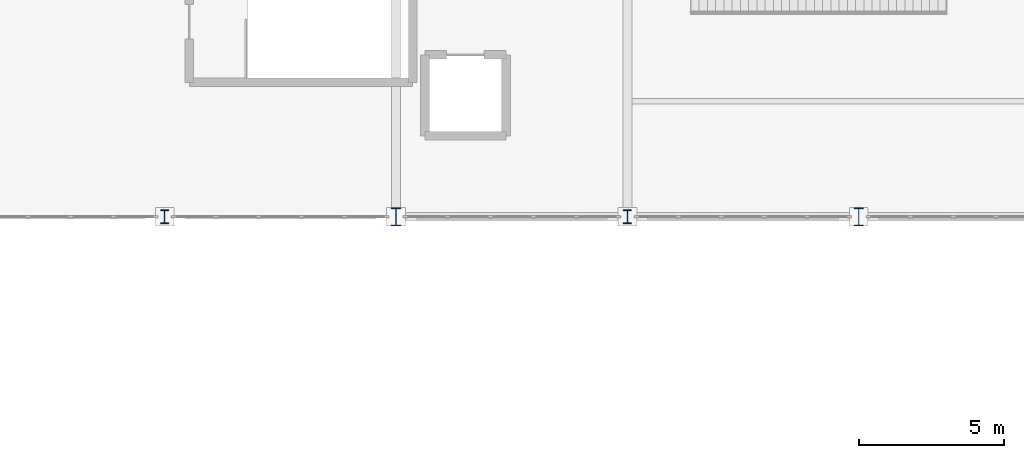
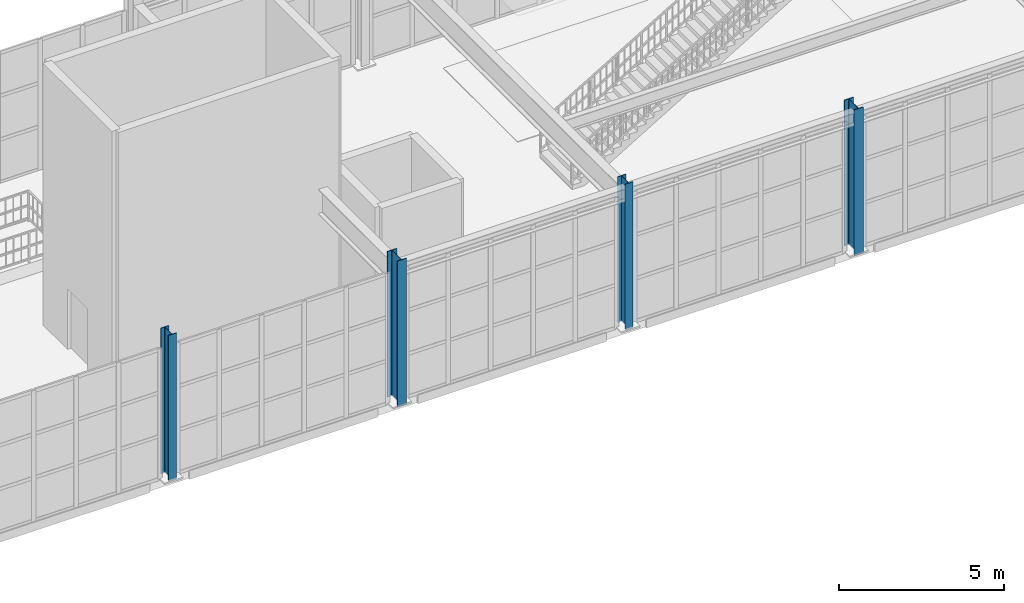
# One storey, part 4 of 82: 4 columns.
"""IFC4 building model written with IfcOpenShell, lengths in metres."""

from ifc_helpers import new_model, si_unit, direction, frame, origin, origin_2d, place, context, subcontext, project, spatial, i_section, extrude, material, material_profile, profile_set, type_object, element, save


model = new_model("IFC4")

# Units and contexts
model_context = context("Model", 3, precision=1e-05, world=origin(), true_north=direction((0.0, 1.0)))
body_context = subcontext(model_context, "Body", "Model", "MODEL_VIEW")
ifc_project = project(units=[si_unit("LENGTHUNIT", "METRE"), si_unit("AREAUNIT", "SQUARE_METRE"), si_unit("VOLUMEUNIT", "CUBIC_METRE"), si_unit("PLANEANGLEUNIT", "RADIAN"), si_unit("MASSUNIT", "GRAM", prefix="KILO")], contexts=[model_context])

# Site, building, storey
site_placement = place(None, origin())
site = spatial("IfcSite", under=ifc_project, at=site_placement, CompositionType="ELEMENT")
building_placement = place(site_placement, origin())
building = spatial("IfcBuilding", under=site, at=building_placement, Name="Serraluz Foothill Cableway Terminal", CompositionType="ELEMENT")
storey_placement = place(building_placement, frame((0.0, 0.0, 9.60009765625)))
storey = spatial("IfcBuildingStorey", under=building, at=storey_placement, Name="L02", CompositionType="ELEMENT", Elevation=9.60009765625)

# Columns
ifc_material = material(Name="Steel ASTM A992 Grade 50", Category="steel")
ifc_material_profile_1 = material_profile(ifc_material, i_section(OverallWidth=0.282958984375, OverallDepth=0.471923828125, WebThickness=0.013671875, FlangeThickness=0.022216796875, FilletRadius=0.014892578125, at=origin_2d()), Name="W18X97")
ifc_profile_set_1 = profile_set([ifc_material_profile_1], Name="Steel ASTM A992 Grade 50")
column_type_1 = type_object("IfcColumnType", Name="TYP-COL-W18X97", PredefinedType="COLUMN", material=ifc_profile_set_1)
for number, where, z_axis, x_axis, name in (
    (1, (64.0, 56.0, 0.0), (0.0, 0.0, 1.0), (1.0, 0.0, 0.0), "Column COL-V1-S-64-L02"),
    (2, (80.0, 56.0, 0.0), (0.0, 0.0, 1.0), (1.0, 0.0, 0.0), "Column COL-V1-S-80-L02"),
):
    element("IfcColumn", number, at=place(storey_placement, frame(where, z_axis=z_axis, x_axis=x_axis)), inside=storey, type_object=column_type_1, Name=name, PredefinedType="COLUMN", context=body_context, shape_type="SweptSolid", body=[
        extrude(i_section(OverallWidth=0.282958984375, OverallDepth=0.471923828125, WebThickness=0.013671875, FlangeThickness=0.022216796875, FilletRadius=0.014892578125, at=origin_2d()), origin(), (0.0, 0.0, 1.0), 5.39990234375),
    ])
ifc_material_profile_2 = material_profile(ifc_material, i_section(OverallWidth=0.324951171875, OverallDepth=0.615966796875, WebThickness=0.013916015625, FlangeThickness=0.021484375, FilletRadius=0.01806640625, at=origin_2d()), Name="W24X117")
ifc_profile_set_2 = profile_set([ifc_material_profile_2], Name="Steel ASTM A992 Grade 50")
column_type_2 = type_object("IfcColumnType", Name="TYP-COL-W24X117", PredefinedType="COLUMN", material=ifc_profile_set_2)
for number, where, z_axis, x_axis, name in (
    (3, (72.0, 56.0, 0.0), (0.0, 0.0, 1.0), (1.0, 0.0, 0.0), "Column COL-V1-S-72-L02"),
    (4, (88.0, 56.0, 0.0), (0.0, 0.0, 1.0), (1.0, 0.0, 0.0), "Column COL-V1-S-88-L02"),
):
    element("IfcColumn", number, at=place(storey_placement, frame(where, z_axis=z_axis, x_axis=x_axis)), inside=storey, type_object=column_type_2, Name=name, PredefinedType="COLUMN", context=body_context, shape_type="SweptSolid", body=[
        extrude(i_section(OverallWidth=0.324951171875, OverallDepth=0.615966796875, WebThickness=0.013916015625, FlangeThickness=0.021484375, FilletRadius=0.01806640625, at=origin_2d()), origin(), (0.0, 0.0, 1.0), 5.39990234375),
    ])

save(model, "model.ifc")
